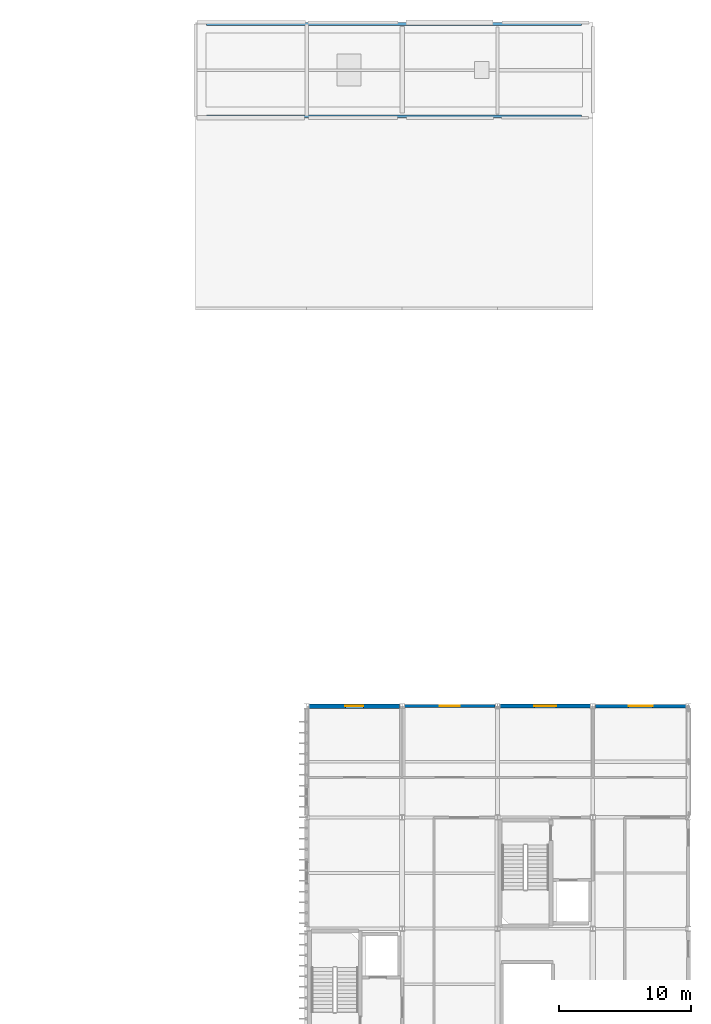
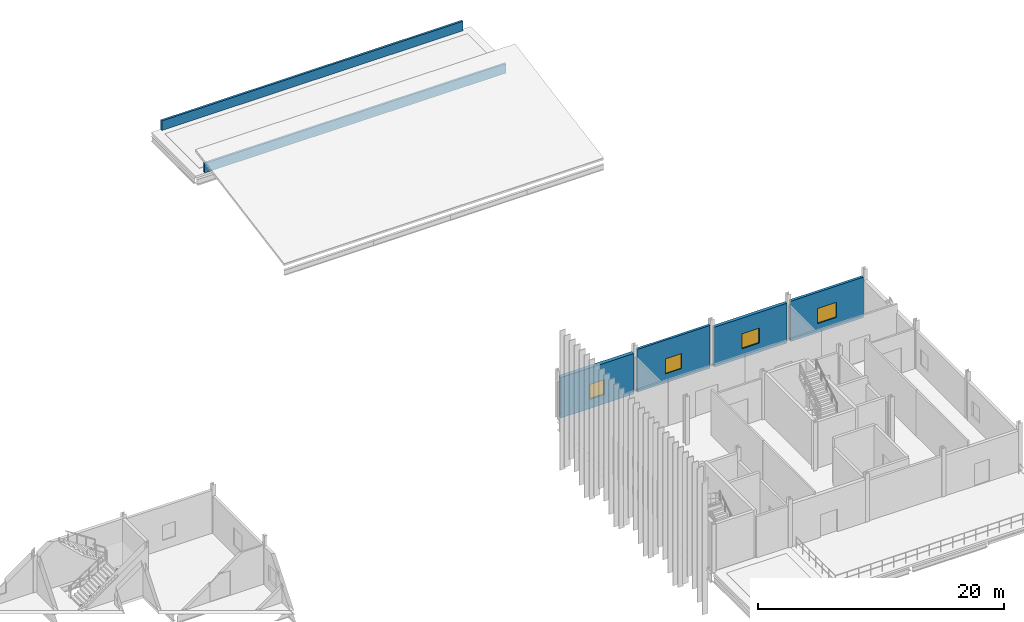
# One storey, part 34 of 45: 6 walls, 4 windows, 4 openings.
"""IFC4 building model written with IfcOpenShell, lengths in metres."""

from ifc_helpers import new_model, si_unit, direction, frame, frame_2d, origin, place, context, subcontext, project, spatial, rectangle, extrude, material, layer, layer_set, type_object, element, fill, save


model = new_model("IFC4")

# Units and contexts
model_context = context("Model", 3, precision=1e-05, world=origin(), true_north=direction((0.0, 1.0)))
body_context = subcontext(model_context, "Body", "Model", "MODEL_VIEW")
ifc_project = project(units=[si_unit("LENGTHUNIT", "METRE"), si_unit("AREAUNIT", "SQUARE_METRE"), si_unit("VOLUMEUNIT", "CUBIC_METRE"), si_unit("PLANEANGLEUNIT", "RADIAN"), si_unit("MASSUNIT", "GRAM", prefix="KILO")], contexts=[model_context])

# Site, building, storey
site_placement = place(None, origin())
site = spatial("IfcSite", under=ifc_project, at=site_placement, CompositionType="ELEMENT")
building_placement = place(site_placement, origin())
building = spatial("IfcBuilding", under=site, at=building_placement, Name="Calvrana Isthmian Art Gallery", CompositionType="ELEMENT")
storey_placement = place(building_placement, frame((0.0, 0.0, 19.800048828125)))
storey = spatial("IfcBuildingStorey", under=building, at=storey_placement, Name="L04", CompositionType="ELEMENT", Elevation=19.800048828125)

# Wall, opening, window
ifc_material_1 = material(Name="Precast concrete C40/50", Category="concrete")
ifc_layer_1 = layer(ifc_material_1, 0.219970703125, Name="Precast concrete C40/50")
ifc_layer_set_1 = layer_set([ifc_layer_1], Name="Precast concrete C40/50")
wall_type_1 = type_object("IfcWallType", Name="EW-ACOUST-220", PredefinedType="SOLIDWALL", material=ifc_layer_set_1)
wall_1_placement = place(storey_placement, frame((120.18408203125, 46.800048828125, 0.0), z_axis=(0.0, 0.0, 1.0), x_axis=(1.0, 0.0, 0.0)))
wall_1 = element("IfcWall", 1, at=wall_1_placement, inside=storey, type_object=wall_type_1, Name="Exterior wall EW-195", PredefinedType="SOLIDWALL", context=body_context, shape_type="SweptSolid", body=[
    extrude(rectangle(XDim=6.829345703125, YDim=0.219970703125, at=frame_2d((3.41455078125, 0.0))), origin(), (0.0, 0.0, 1.0), 4.255126953125),
])
opening_1_placement = place(wall_1_placement, frame((2.664794921875, 0.0, 0.89990234375)))
opening_1 = element("IfcOpeningElement", 2, at=opening_1_placement, cuts=wall_1, Name="Opening W-143", PredefinedType="OPENING", context=body_context, shape_type="SweptSolid", body=[
    extrude(rectangle(XDim=1.5, YDim=1.5, at=frame_2d((0.75, 0.75))), frame((0.0, 0.1201171875, 0.0), z_axis=(0.0, -1.0, 0.0), x_axis=(1.0, 0.0, 0.0)), (0.0, 0.0, 1.0), 0.240478515625),
])
ifc_material_2 = material(Name="Low-E laminated solar glass", Category="glass")
window_type_1 = type_object("IfcWindowType", Name="WN-G03", PartitioningType="SINGLE_PANEL", PredefinedType="WINDOW", material=ifc_material_2)
window_1_placement = place(opening_1_placement, origin())
window_1 = element("IfcWindow", 3, at=window_1_placement, inside=storey, type_object=window_type_1, Name="Facade window W-143", OverallHeight=1.5, OverallWidth=1.5, PartitioningType="SINGLE_PANEL", PredefinedType="WINDOW", context=body_context, shape_type="SweptSolid", body=[
    extrude(rectangle(XDim=1.5, YDim=1.5, at=frame_2d((0.75, 0.75))), frame((0.0, 0.030029296875, 0.0), z_axis=(0.0, -1.0, 0.0), x_axis=(1.0, 0.0, 0.0)), (0.0, 0.0, 1.0), 0.06005859375),
])
fill(opening_1, window_1)

ifc_material_3 = material(Name="Pale Isthmian limestone", Category="masonry")
ifc_layer_2 = layer(ifc_material_3, 0.300048828125, Name="Pale Isthmian limestone")
ifc_layer_set_2 = layer_set([ifc_layer_2], Name="Pale Isthmian limestone")
wall_type_2 = type_object("IfcWallType", Name="EW-LIME-300", PredefinedType="SOLIDWALL", material=ifc_layer_set_2)
wall_2_placement = place(storey_placement, frame((127.386474609375, 46.800048828125, 0.0), z_axis=(0.0, 0.0, 1.0), x_axis=(1.0, 0.0, 0.0)))
wall_2 = element("IfcWall", 4, at=wall_2_placement, inside=storey, type_object=wall_type_2, Name="Exterior wall EW-196", PredefinedType="SOLIDWALL", context=body_context, shape_type="SweptSolid", body=[
    extrude(rectangle(XDim=6.826904296875, YDim=0.300048828125, at=frame_2d((3.41357421875, 0.0))), origin(), (0.0, 0.0, 1.0), 3.952880859375),
])
opening_2_placement = place(wall_2_placement, frame((2.58837890625, 0.0, 0.89990234375)))
opening_2 = element("IfcOpeningElement", 5, at=opening_2_placement, cuts=wall_2, Name="Opening W-144", PredefinedType="OPENING", context=body_context, shape_type="SweptSolid", body=[
    extrude(rectangle(XDim=1.64990234375, YDim=1.5, at=frame_2d((0.824951171875, 0.75))), frame((0.0, 0.16015625, 0.0), z_axis=(0.0, -1.0, 0.0), x_axis=(1.0, 0.0, 0.0)), (0.0, 0.0, 1.0), 0.320556640625),
])
window_type_2 = type_object("IfcWindowType", Name="WN-G04", PartitioningType="SINGLE_PANEL", PredefinedType="WINDOW", material=ifc_material_2)
window_2_placement = place(opening_2_placement, origin())
window_2 = element("IfcWindow", 6, at=window_2_placement, inside=storey, type_object=window_type_2, Name="Facade window W-144", OverallHeight=1.5, OverallWidth=1.64990234375, PartitioningType="SINGLE_PANEL", PredefinedType="WINDOW", context=body_context, shape_type="SweptSolid", body=[
    extrude(rectangle(XDim=1.64990234375, YDim=1.5, at=frame_2d((0.824951171875, 0.75))), frame((0.0, 0.030029296875, 0.0), z_axis=(0.0, -1.0, 0.0), x_axis=(1.0, 0.0, 0.0)), (0.0, 0.0, 1.0), 0.06005859375),
])
fill(opening_2, window_2)

ifc_layer_3 = layer(ifc_material_1, 0.35009765625, Name="Precast concrete C40/50")
ifc_layer_set_3 = layer_set([ifc_layer_3], Name="Precast concrete C40/50")
wall_type_3 = type_object("IfcWallType", Name="EW-PREC-350", PredefinedType="SOLIDWALL", material=ifc_layer_set_3)
wall_3_placement = place(storey_placement, frame((112.985595703125, 46.800048828125, 0.0), z_axis=(0.0, 0.0, 1.0), x_axis=(1.0, 0.0, 0.0)))
wall_3 = element("IfcWall", 7, at=wall_3_placement, inside=storey, type_object=wall_type_3, Name="Exterior wall EW-194", PredefinedType="SOLIDWALL", context=body_context, shape_type="SweptSolid", body=[
    extrude(rectangle(XDim=6.830322265625, YDim=0.35009765625, at=frame_2d((3.4150390625, 0.0))), origin(), (0.0, 0.0, 1.0), 4.02685546875),
])
opening_3_placement = place(wall_3_placement, frame((2.740234375, 0.0, 0.89990234375)))
opening_3 = element("IfcOpeningElement", 8, at=opening_3_placement, cuts=wall_3, Name="Opening W-142", PredefinedType="OPENING", context=body_context, shape_type="SweptSolid", body=[
    extrude(rectangle(XDim=1.35009765625, YDim=1.5, at=frame_2d((0.675048828125, 0.75))), frame((0.0, 0.185302734375, 0.0), z_axis=(0.0, -1.0, 0.0), x_axis=(1.0, 0.0, 0.0)), (0.0, 0.0, 1.0), 0.37060546875),
])
window_type_3 = type_object("IfcWindowType", Name="WN-G02", PartitioningType="SINGLE_PANEL", PredefinedType="WINDOW", material=ifc_material_2)
window_3_placement = place(opening_3_placement, origin())
window_3 = element("IfcWindow", 9, at=window_3_placement, inside=storey, type_object=window_type_3, Name="Facade window W-142", OverallHeight=1.5, OverallWidth=1.35009765625, PartitioningType="SINGLE_PANEL", PredefinedType="WINDOW", context=body_context, shape_type="SweptSolid", body=[
    extrude(rectangle(XDim=1.35009765625, YDim=1.5, at=frame_2d((0.675048828125, 0.75))), frame((0.0, 0.030029296875, 0.0), z_axis=(0.0, -1.0, 0.0), x_axis=(1.0, 0.0, 0.0)), (0.0, 0.0, 1.0), 0.06005859375),
])
fill(opening_3, window_3)

ifc_material_4 = material(Name="Polychrome glazed terracotta", Category="masonry")
ifc_layer_4 = layer(ifc_material_4, 0.25, Name="Polychrome glazed terracotta")
ifc_layer_set_4 = layer_set([ifc_layer_4], Name="Polychrome glazed terracotta")
wall_type_4 = type_object("IfcWallType", Name="EW-TERRA-250", PredefinedType="SOLIDWALL", material=ifc_layer_set_4)
wall_4_placement = place(storey_placement, frame((134.58642578125, 46.800048828125, 0.0), z_axis=(0.0, 0.0, 1.0), x_axis=(1.0, 0.0, 0.0)))
wall_4 = element("IfcWall", 10, at=wall_4_placement, inside=storey, type_object=wall_type_4, Name="Exterior wall EW-197", PredefinedType="SOLIDWALL", context=body_context, shape_type="SweptSolid", body=[
    extrude(rectangle(XDim=6.828125, YDim=0.25, at=frame_2d((3.4140625, 0.0))), origin(), (0.0, 0.0, 1.0), 4.010986328125),
])
opening_4_placement = place(wall_4_placement, frame((2.513916015625, 0.0, 0.89990234375)))
opening_4 = element("IfcOpeningElement", 11, at=opening_4_placement, cuts=wall_4, Name="Opening W-145", PredefinedType="OPENING", context=body_context, shape_type="SweptSolid", body=[
    extrude(rectangle(XDim=1.800048828125, YDim=1.5, at=frame_2d((0.89990234375, 0.75))), frame((0.0, 0.13525390625, 0.0), z_axis=(0.0, -1.0, 0.0), x_axis=(1.0, 0.0, 0.0)), (0.0, 0.0, 1.0), 0.2705078125),
])
window_type_4 = type_object("IfcWindowType", Name="WN-G05", PartitioningType="DOUBLE_PANEL_VERTICAL", PredefinedType="WINDOW", material=ifc_material_2)
window_4_placement = place(opening_4_placement, origin())
window_4 = element("IfcWindow", 12, at=window_4_placement, inside=storey, type_object=window_type_4, Name="Facade window W-145", OverallHeight=1.5, OverallWidth=1.800048828125, PartitioningType="SINGLE_PANEL", PredefinedType="WINDOW", context=body_context, shape_type="SweptSolid", body=[
    extrude(rectangle(XDim=1.800048828125, YDim=1.5, at=frame_2d((0.89990234375, 0.75))), frame((0.0, 0.030029296875, 0.0), z_axis=(0.0, -1.0, 0.0), x_axis=(1.0, 0.0, 0.0)), (0.0, 0.0, 1.0), 0.06005859375),
])
fill(opening_4, window_4)

# Walls
ifc_layer_5 = layer(ifc_material_3, 0.199951171875, Name="Pale Isthmian limestone")
ifc_layer_set_5 = layer_set([ifc_layer_5], Name="Pale Isthmian limestone")
wall_type_5 = type_object("IfcWallType", Name="WL-PARA-200", PredefinedType="PARAPET", material=ifc_layer_set_5)
for number, where, z_axis, x_axis, name in (
    (13, (105.25, 91.320068359375, 0.0), (0.0, 0.0, 1.0), (1.0, 0.0, 0.0), "Roof parapet WP-34"),
    (14, (105.25, 98.280029296875, 0.0), (0.0, 0.0, 1.0), (1.0, 0.0, 0.0), "Roof parapet WP-35"),
):
    element("IfcWall", number, at=place(storey_placement, frame(where, z_axis=z_axis, x_axis=x_axis)), inside=storey, type_object=wall_type_5, Name=name, PredefinedType="PARAPET", context=body_context, shape_type="SweptSolid", body=[
        extrude(rectangle(XDim=28.300048828125, YDim=0.199951171875, at=frame_2d((14.14990234375, 0.0))), origin(), (0.0, 0.0, 1.0), 0.949951171875),
    ])

save(model, "model.ifc")
